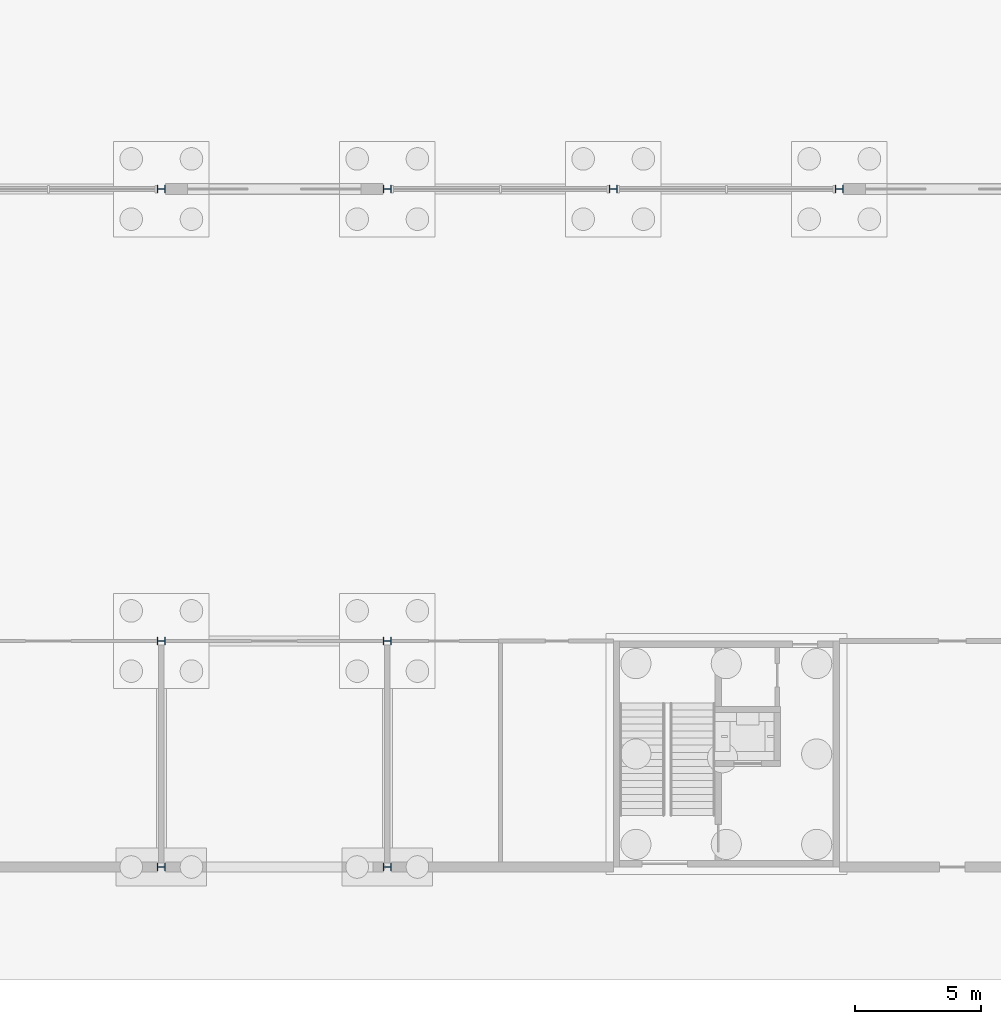
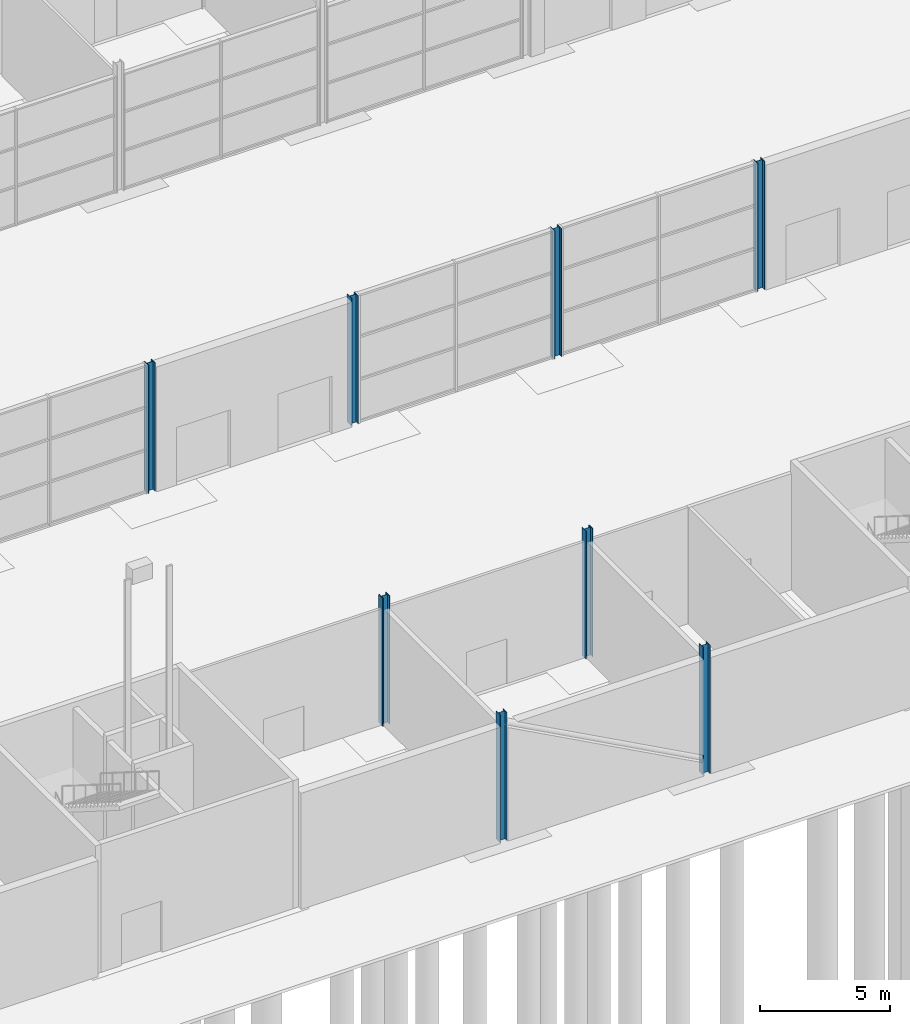
# One storey, part 10 of 97: 8 columns.
"""IFC4 building model written with IfcOpenShell, lengths in metres."""

import ifcopenshell
import ifcopenshell.guid

model = None  # the IFC model being written
_history = None  # IfcOwnerHistory: only IFC2X3 demands one
_inside = {}  # id of a spatial element -> (the spatial element, [elements in it])
_under = {}  # id of a project, library or spatial element -> (it, [spatial elements below it])
_declared = {}  # id of a project -> (the project, [libraries it declares])
_typed = {}  # id of a type object -> (the type object, [elements of that type])
_made_of = {}  # id of a material, layer set ... -> (it, [elements and type objects made of it])


def new_model(schema):
    """Start an empty IFC model of exactly this schema.

    Asked for "IFC4X3", IfcOpenShell would pick the latest addendum, in which some entities
    have other attributes; the version numbers below select the first issue.
    IFC2X3 requires an IfcOwnerHistory on every rooted entity: one is made here for all.
    """
    global model, _history
    if schema == "IFC4X3":
        model = ifcopenshell.file(schema_version=(4, 3, 0, 0))
    else:
        model = ifcopenshell.file(schema=schema)
    _inside.clear()
    _under.clear()
    _declared.clear()
    _typed.clear()
    _made_of.clear()
    _history = None
    if model.schema == "IFC2X3":
        org = make("IfcOrganization", Name="unknown")
        user = make(
            "IfcPersonAndOrganization",
            ThePerson=make("IfcPerson", FamilyName="unknown"),
            TheOrganization=org,
        )
        app = make(
            "IfcApplication",
            ApplicationDeveloper=org,
            Version="unknown",
            ApplicationFullName="unknown",
            ApplicationIdentifier="unknown",
        )
        _history = make(
            "IfcOwnerHistory",
            OwningUser=user,
            OwningApplication=app,
            ChangeAction="ADDED",
            CreationDate=0,
        )
    return model


def make(cls, **values):
    """One entity of the class cls with the attributes given. An attribute that is None is left unset."""
    return model.create_entity(
        cls, **{name: value for name, value in values.items() if value is not None}
    )


def rooted(cls, **values):
    """An entity with a GlobalId (a new one), such as an element, a storey or a relation."""
    return make(cls, GlobalId=ifcopenshell.guid.new(), OwnerHistory=_history, **values)


def si_unit(unit_type, name, prefix=None):
    """IfcSIUnit, for example si_unit("LENGTHUNIT", "METRE", prefix="MILLI")."""
    return make("IfcSIUnit", UnitType=unit_type, Prefix=prefix, Name=name)


def assignment(units):
    """IfcUnitAssignment: the units of a project."""
    return None if units is None else make("IfcUnitAssignment", Units=units)


def point(xyz):
    """IfcCartesianPoint."""
    return None if xyz is None else make("IfcCartesianPoint", Coordinates=xyz)


def direction(xyz):
    """IfcDirection."""
    return None if xyz is None else make("IfcDirection", DirectionRatios=xyz)


def frame(location, z_axis=None, x_axis=None):
    """IfcAxis2Placement3D, a coordinate frame: its origin and axes. An axis left out is left unset."""
    return make(
        "IfcAxis2Placement3D",
        Location=point(location),
        Axis=direction(z_axis),
        RefDirection=direction(x_axis),
    )


def frame_2d(location, x_axis=None):
    """IfcAxis2Placement2D, a coordinate frame in the plane: its origin and x axis."""
    return make(
        "IfcAxis2Placement2D", Location=point(location), RefDirection=direction(x_axis)
    )


def origin():
    """The frame at (0, 0, 0) with its axes left unset."""
    return frame((0.0, 0.0, 0.0))


def origin_2d():
    """The frame at (0, 0) in the plane with its x axis left unset."""
    return frame_2d((0.0, 0.0))


def place(relative_to, where):
    """IfcLocalPlacement: puts the frame where relative to a parent placement (None: the world)."""
    return make(
        "IfcLocalPlacement", PlacementRelTo=relative_to, RelativePlacement=where
    )


def context(
    kind, dimensions, precision=None, world=None, true_north=None, identifier=None
):
    """IfcGeometricRepresentationContext, for example the 3D "Model" context."""
    return make(
        "IfcGeometricRepresentationContext",
        ContextIdentifier=identifier,
        ContextType=kind,
        CoordinateSpaceDimension=dimensions,
        Precision=precision,
        WorldCoordinateSystem=world,
        TrueNorth=true_north,
    )


def subcontext(parent, identifier, kind, view, scale=None):
    """IfcGeometricRepresentationSubContext, for example "Body" below "Model"."""
    return make(
        "IfcGeometricRepresentationSubContext",
        ContextIdentifier=identifier,
        ContextType=kind,
        ParentContext=parent,
        TargetScale=scale,
        TargetView=view,
    )


def project(units=None, contexts=None):
    """IfcProject with its units and contexts."""
    return rooted(
        "IfcProject",
        Name="project",
        RepresentationContexts=contexts,
        UnitsInContext=assignment(units),
    )


def spatial(cls, under=None, at=None, **own):
    """A site, building, storey or space (cls), placed at a placement, below another one or the project."""
    s = rooted(cls, ObjectPlacement=at, **own)
    if under is not None:
        _under.setdefault(under.id(), (under, []))[1].append(s)
    return s


def profile(cls, at=None, kind="AREA", **sizes):
    """A parametric profile (cls). Its sizes go by their IFC names, for example OverallWidth=200.0."""
    return make(cls, ProfileType=kind, Position=at, **sizes)


def i_section(**sizes):
    """IfcIShapeProfileDef."""
    return profile("IfcIShapeProfileDef", **sizes)


def extrude(swept, where, along, depth):
    """IfcExtrudedAreaSolid: the profile swept, set in the frame where, extruded along a direction by depth."""
    return make(
        "IfcExtrudedAreaSolid",
        SweptArea=swept,
        Position=where,
        ExtrudedDirection=direction(along),
        Depth=depth,
    )


def shape(context_of_items, identifier, shape_type, items):
    """IfcShapeRepresentation: the items that make up one representation, for example the "Body"."""
    return make(
        "IfcShapeRepresentation",
        ContextOfItems=context_of_items,
        RepresentationIdentifier=identifier,
        RepresentationType=shape_type,
        Items=items,
    )


def material(Name=None, Category=None):
    """IfcMaterial."""
    return make("IfcMaterial", Name=Name, Category=Category)


def material_profile(
    of_material, cross_section, Name=None, Category=None, Priority=None
):
    """IfcMaterialProfile: a cross section and its material."""
    return make(
        "IfcMaterialProfile",
        Name=Name,
        Material=of_material,
        Profile=cross_section,
        Priority=Priority,
        Category=Category,
    )


def profile_set(profiles, Name=None, composite=None):
    """IfcMaterialProfileSet."""
    return make(
        "IfcMaterialProfileSet",
        Name=Name,
        MaterialProfiles=profiles,
        CompositeProfile=composite,
    )


def made_of(thing, what):
    """Note that an element or type object is made of a material, layer set ...; save() writes the relation."""
    if what is not None:
        _made_of.setdefault(what.id(), (what, []))[1].append(thing)
    return thing


def type_object(cls, material=None, **own):
    """A type object (cls), such as IfcWallType, which elements share."""
    return made_of(rooted(cls, **own), material)


def element(
    cls,
    number,
    at=None,
    inside=None,
    cuts=None,
    type_object=None,
    material=None,
    context=None,
    identifier="Body",
    shape_type=None,
    held_by="IfcProductDefinitionShape",
    body=None,
    shapes=None,
    **own,
):
    """One element of the class cls, such as IfcWall. Its Tag is "e" and its number.

    at: its placement. inside: the storey or other place that contains it. cuts: it is an
    opening in that element (IfcRelVoidsElement). A single representation is given by context,
    identifier, shape_type and body (its items); several are given by shapes. held_by: the class
    of the entity that holds the representations. save() writes the other relations.
    """
    e = rooted(cls, Tag="e%d" % number, ObjectPlacement=at, **own)
    if body is not None:
        shapes = [shape(context, identifier, shape_type, body)]
    if shapes is not None:
        e.Representation = make(held_by, Representations=shapes)
    if inside is not None:
        _inside.setdefault(inside.id(), (inside, []))[1].append(e)
    if cuts is not None:
        rooted(
            "IfcRelVoidsElement", RelatingBuildingElement=cuts, RelatedOpeningElement=e
        )
    if type_object is not None:
        _typed.setdefault(type_object.id(), (type_object, []))[1].append(e)
    return made_of(e, material)


def aggregate(whole, parts):
    """IfcRelAggregates: a whole, such as a stair, and the parts it consists of."""
    return rooted("IfcRelAggregates", RelatingObject=whole, RelatedObjects=parts)


def save(model, path):
    """Write the relations noted so far, then the file.

    IfcRelAggregates (storeys below a building ...), IfcRelContainedInSpatialStructure (elements
    in a storey), IfcRelDefinesByType, IfcRelAssociatesMaterial and IfcRelDeclares: one each for
    every whole, place, type object, material and project.
    """
    for whole, parts in _under.values():
        aggregate(whole, parts)
    for where, things in _inside.values():
        rooted(
            "IfcRelContainedInSpatialStructure",
            RelatedElements=things,
            RelatingStructure=where,
        )
    for kind, things in _typed.values():
        rooted("IfcRelDefinesByType", RelatedObjects=things, RelatingType=kind)
    for what, things in _made_of.values():
        rooted("IfcRelAssociatesMaterial", RelatedObjects=things, RelatingMaterial=what)
    for by, libraries in _declared.values():
        rooted("IfcRelDeclares", RelatingContext=by, RelatedDefinitions=libraries)
    model.write(path)


model = new_model("IFC4")

# Units and contexts
model_context = context("Model", 3, precision=1e-05, world=origin(), true_north=direction((0.0, 1.0)))
body_context = subcontext(model_context, "Body", "Model", "MODEL_VIEW")
ifc_project = project(units=[si_unit("LENGTHUNIT", "METRE"), si_unit("AREAUNIT", "SQUARE_METRE"), si_unit("VOLUMEUNIT", "CUBIC_METRE"), si_unit("PLANEANGLEUNIT", "RADIAN"), si_unit("MASSUNIT", "GRAM", prefix="KILO")], contexts=[model_context])

# Site, building, storey
site_placement = place(None, origin())
site = spatial("IfcSite", under=ifc_project, at=site_placement, CompositionType="ELEMENT")
building_placement = place(site_placement, origin())
building = spatial("IfcBuilding", under=site, at=building_placement, Name="Corbel Yard City Hall", CompositionType="ELEMENT")
storey_placement = place(building_placement, origin())
storey = spatial("IfcBuildingStorey", under=building, at=storey_placement, Name="L00", CompositionType="ELEMENT", Elevation=0.0)

# Columns
ifc_material = material(Name="Steel Grade 300 (300 MPa yield)", Category="steel")
ifc_material_profile_1 = material_profile(ifc_material, i_section(OverallWidth=0.306884765625, OverallDepth=0.31494140625, WebThickness=0.011962890625, FlangeThickness=0.018798828125, at=origin_2d()), Name="310UC118")
ifc_profile_set_1 = profile_set([ifc_material_profile_1], Name="Steel Grade 300 (300 MPa yield)")
column_type_1 = type_object("IfcColumnType", Name="Column 310UC118", PredefinedType="COLUMN", material=ifc_profile_set_1)
for number, where, z_axis, x_axis, name in (
    (1, (63.0, 0.0, 0.0), (0.0, 0.0, 1.0), (0.0, 1.0, 0.0), "Column 310UC118 A/8 L00"),
    (2, (72.0, 0.0, 0.0), (0.0, 0.0, 1.0), (0.0, 1.0, 0.0), "Column 310UC118 A/9 L00"),
):
    element("IfcColumn", number, at=place(storey_placement, frame(where, z_axis=z_axis, x_axis=x_axis)), inside=storey, type_object=column_type_1, Name=name, PredefinedType="COLUMN", context=body_context, shape_type="SweptSolid", body=[
        extrude(i_section(OverallWidth=0.306884765625, OverallDepth=0.31494140625, WebThickness=0.011962890625, FlangeThickness=0.018798828125, at=origin_2d()), origin(), (0.0, 0.0, 1.0), 6.0),
    ])
ifc_material_profile_2 = material_profile(ifc_material, i_section(OverallWidth=0.31103515625, OverallDepth=0.326904296875, WebThickness=0.015625, FlangeThickness=0.02490234375, at=origin_2d()), Name="310UC158")
ifc_profile_set_2 = profile_set([ifc_material_profile_2], Name="Steel Grade 300 (300 MPa yield)")
column_type_2 = type_object("IfcColumnType", Name="Column 310UC158", PredefinedType="COLUMN", material=ifc_profile_set_2)
for number, where, z_axis, x_axis, name in (
    (3, (63.0, 9.0, 0.0), (0.0, 0.0, 1.0), (0.0, 1.0, 0.0), "Column 310UC158 B/8 L00"),
    (4, (63.0, 27.0, 0.0), (0.0, 0.0, 1.0), (0.0, 1.0, 0.0), "Column 310UC158 D/8 L00"),
    (5, (72.0, 9.0, 0.0), (0.0, 0.0, 1.0), (0.0, 1.0, 0.0), "Column 310UC158 B/9 L00"),
    (6, (72.0, 27.0, 0.0), (0.0, 0.0, 1.0), (0.0, 1.0, 0.0), "Column 310UC158 D/9 L00"),
    (7, (81.0, 27.0, 0.0), (0.0, 0.0, 1.0), (0.0, 1.0, 0.0), "Column 310UC158 D/10 L00"),
    (8, (90.0, 27.0, 0.0), (0.0, 0.0, 1.0), (0.0, 1.0, 0.0), "Column 310UC158 D/11 L00"),
):
    element("IfcColumn", number, at=place(storey_placement, frame(where, z_axis=z_axis, x_axis=x_axis)), inside=storey, type_object=column_type_2, Name=name, PredefinedType="COLUMN", context=body_context, shape_type="SweptSolid", body=[
        extrude(i_section(OverallWidth=0.31103515625, OverallDepth=0.326904296875, WebThickness=0.015625, FlangeThickness=0.02490234375, at=origin_2d()), origin(), (0.0, 0.0, 1.0), 6.0),
    ])

save(model, "model.ifc")
